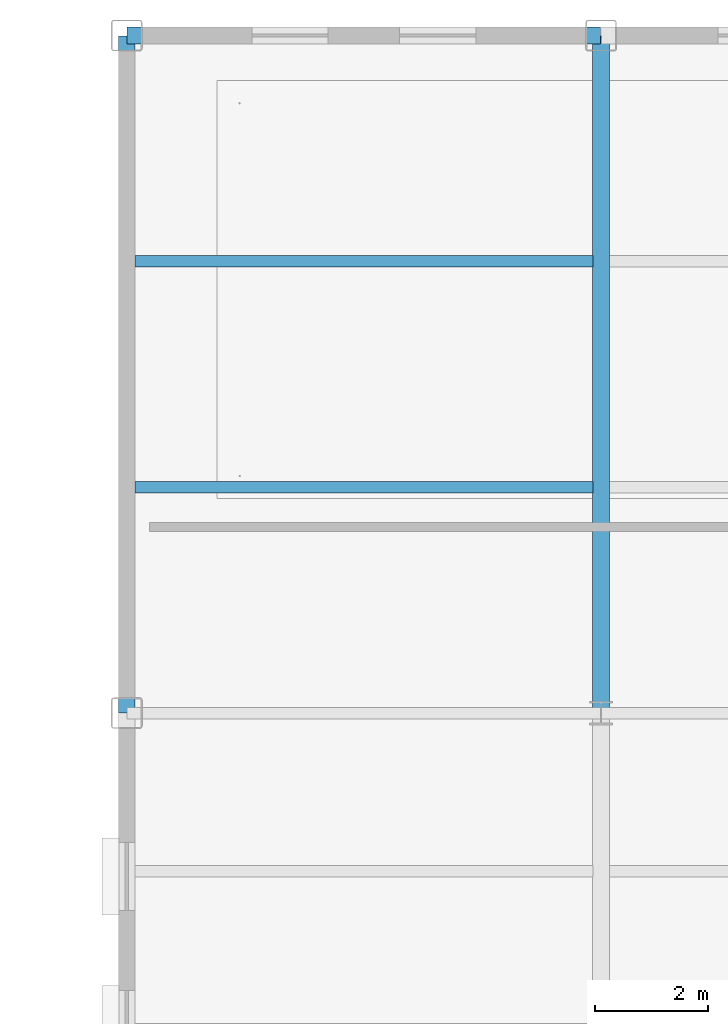
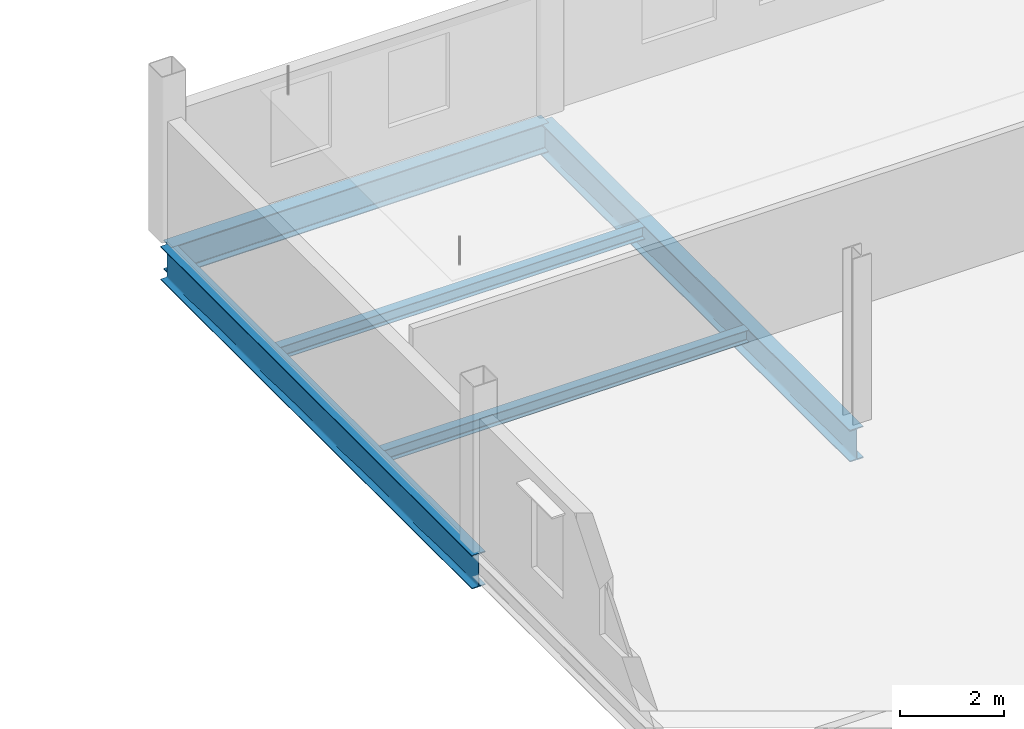
# One storey, part 39 of 77: 5 beams.
"""IFC4 building model written with IfcOpenShell, lengths in metres."""

from ifc_helpers import new_model, si_unit, direction, frame, origin, origin_2d, place, context, subcontext, project, spatial, i_section, extrude, material, material_profile, profile_set, type_object, element, save


model = new_model("IFC4")

# Units and contexts
model_context = context("Model", 3, precision=1e-05, world=origin(), true_north=direction((0.0, 1.0)))
body_context = subcontext(model_context, "Body", "Model", "MODEL_VIEW")
ifc_project = project(units=[si_unit("LENGTHUNIT", "METRE"), si_unit("AREAUNIT", "SQUARE_METRE"), si_unit("VOLUMEUNIT", "CUBIC_METRE"), si_unit("PLANEANGLEUNIT", "RADIAN"), si_unit("MASSUNIT", "GRAM", prefix="KILO")], contexts=[model_context])

# Site, building, storey
site_placement = place(None, origin())
site = spatial("IfcSite", under=ifc_project, at=site_placement, CompositionType="ELEMENT")
building_placement = place(site_placement, origin())
building = spatial("IfcBuilding", under=site, at=building_placement, Name="Yukiwa Park Conservatory and Herbarium", CompositionType="ELEMENT")
storey_placement = place(building_placement, frame((0.0, 0.0, 13.199951171875)))
storey = spatial("IfcBuildingStorey", under=building, at=storey_placement, Name="L03", CompositionType="ELEMENT", Elevation=13.199951171875)

# Beams
ifc_material_1 = material(Name="Steel Q355D", Category="steel")
ifc_material_profile_1 = material_profile(ifc_material_1, i_section(OverallWidth=0.300048828125, OverallDepth=0.75, WebThickness=0.012939453125, FlangeThickness=0.02392578125, FilletRadius=0.028076171875, at=origin_2d()), Name="HN 750x300x13x24")
ifc_profile_set_1 = profile_set([ifc_material_profile_1], Name="Steel Q355D")
beam_type_1 = type_object("IfcBeamType", Name="BM-GRD-HN750", PredefinedType="BEAM", material=ifc_profile_set_1)
beam_1_placement = place(storey_placement, frame((124.800048828125, 103.2060546875, -0.639892578125), z_axis=(0.0, 1.0, 0.0), x_axis=(-1.0, 0.0, 0.0)))
element("IfcBeam", 1, at=beam_1_placement, inside=storey, type_object=beam_type_1, Name="L03 grid girder Y-96", PredefinedType="BEAM", context=body_context, shape_type="SweptSolid", body=[
    extrude(i_section(OverallWidth=0.300048828125, OverallDepth=0.75, WebThickness=0.012939453125, FlangeThickness=0.02392578125, FilletRadius=0.028076171875, at=origin_2d()), origin(), (0.0, 0.0, 1.0), 11.988037109375),
])
ifc_material_2 = material(Name="Steel Q355D", Category="steel")
ifc_material_profile_2 = material_profile(ifc_material_2, i_section(OverallWidth=0.199951171875, OverallDepth=0.2939453125, WebThickness=0.008056640625, FlangeThickness=0.011962890625, FilletRadius=0.01806640625, at=origin_2d()), Name="HM 294x200x8x12")
ifc_profile_set_2 = profile_set([ifc_material_profile_2], Name="Steel Q355D")
beam_type_2 = type_object("IfcBeamType", Name="BM-JST-HM294", PredefinedType="JOIST", material=ifc_profile_set_2)
for number, where, z_axis, x_axis, name in (
    (2, (116.5458984375, 107.199951171875, -0.411865234375), (1.0, 0.0, 0.0), (0.0, 1.0, 0.0), "L03 composite floor joist 51"),
    (3, (116.5458984375, 111.199951171875, -0.411865234375), (1.0, 0.0, 0.0), (0.0, 1.0, 0.0), "L03 composite floor joist 52"),
):
    element("IfcBeam", number, at=place(storey_placement, frame(where, z_axis=z_axis, x_axis=x_axis)), inside=storey, type_object=beam_type_2, Name=name, PredefinedType="JOIST", context=body_context, shape_type="SweptSolid", body=[
        extrude(i_section(OverallWidth=0.199951171875, OverallDepth=0.2939453125, WebThickness=0.008056640625, FlangeThickness=0.011962890625, FilletRadius=0.01806640625, at=origin_2d()), origin(), (0.0, 0.0, 1.0), 8.108154296875),
    ])
ifc_material_3 = material(Name="Steel Q355D", Category="steel")
ifc_material_profile_3 = material_profile(ifc_material_3, i_section(OverallWidth=0.300048828125, OverallDepth=0.69189453125, WebThickness=0.012939453125, FlangeThickness=0.02001953125, FilletRadius=0.028076171875, at=origin_2d()), Name="HN 692x300x13x20")
ifc_profile_set_3 = profile_set([ifc_material_profile_3], Name="Steel Q355D")
beam_type_3 = type_object("IfcBeamType", Name="BM-SPN-HN550", PredefinedType="SPANDREL", material=ifc_profile_set_3)
beam_2_placement = place(storey_placement, frame((116.406005859375, 115.199951171875, -0.61083984375), z_axis=(1.0, 0.0, 0.0), x_axis=(0.0, 1.0, 0.0)))
element("IfcBeam", 4, at=beam_2_placement, inside=storey, type_object=beam_type_3, Name="L03 spandrel beam X-54", PredefinedType="SPANDREL", context=body_context, shape_type="SweptSolid", body=[
    extrude(i_section(OverallWidth=0.300048828125, OverallDepth=0.69189453125, WebThickness=0.012939453125, FlangeThickness=0.02001953125, FilletRadius=0.028076171875, at=origin_2d()), origin(), (0.0, 0.0, 1.0), 8.387939453125),
])
ifc_material_4 = material(Name="Steel Q355D", Category="steel")
ifc_material_profile_4 = material_profile(ifc_material_4, i_section(OverallWidth=0.300048828125, OverallDepth=0.7919921875, WebThickness=0.013916015625, FlangeThickness=0.02197265625, FilletRadius=0.028076171875, at=origin_2d()), Name="HN 792x300x14x22")
ifc_profile_set_4 = profile_set([ifc_material_profile_4], Name="Steel Q355D")
beam_type_4 = type_object("IfcBeamType", Name="BM-SPN-HN600", PredefinedType="SPANDREL", material=ifc_profile_set_4)
beam_3_placement = place(storey_placement, frame((116.39990234375, 103.2060546875, -0.660888671875), z_axis=(0.0, 1.0, 0.0), x_axis=(-1.0, 0.0, 0.0)))
element("IfcBeam", 5, at=beam_3_placement, inside=storey, type_object=beam_type_4, Name="L03 spandrel girder Y-92", PredefinedType="SPANDREL", context=body_context, shape_type="SweptSolid", body=[
    extrude(i_section(OverallWidth=0.300048828125, OverallDepth=0.7919921875, WebThickness=0.013916015625, FlangeThickness=0.02197265625, FilletRadius=0.028076171875, at=origin_2d()), origin(), (0.0, 0.0, 1.0), 11.988037109375),
])

save(model, "model.ifc")
